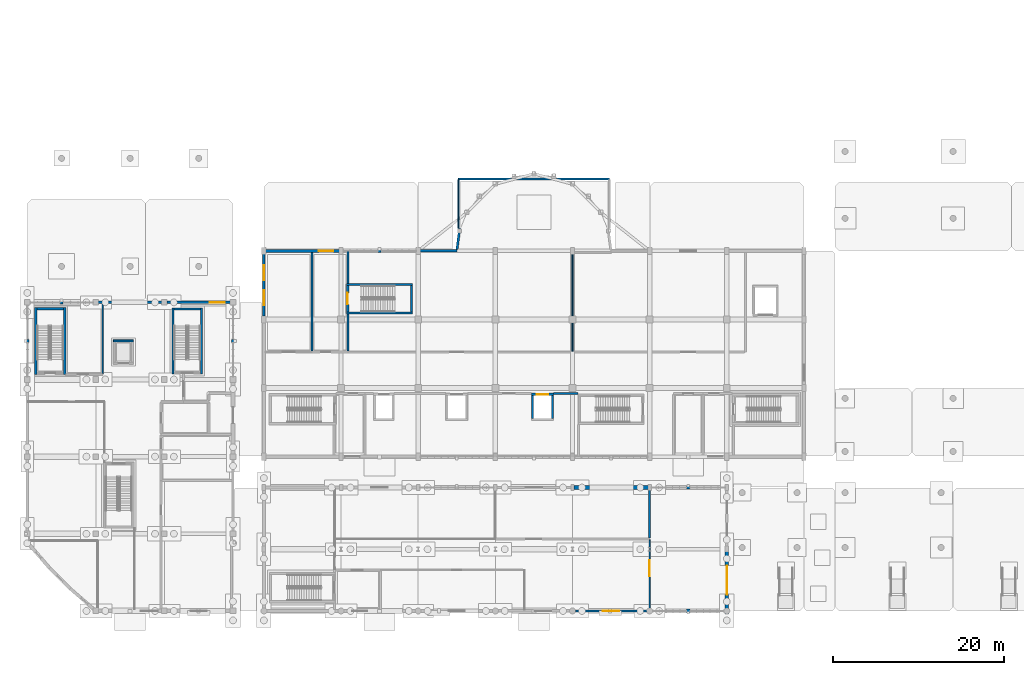
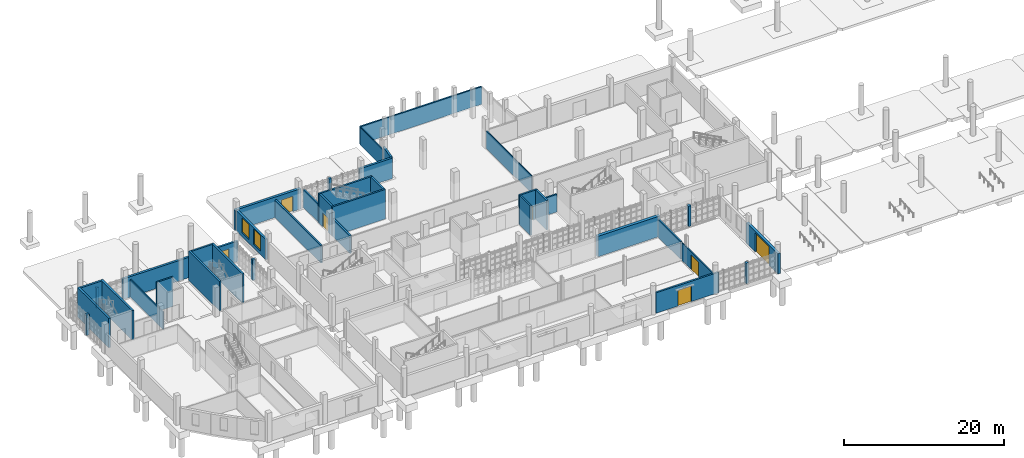
# One storey, part 44 of 63: 39 walls, 7 doors, 2 windows, 9 openings.
"""IFC4 building model written with IfcOpenShell, lengths in metres."""

import ifcopenshell
import ifcopenshell.guid

model = None  # the IFC model being written
_history = None  # IfcOwnerHistory: only IFC2X3 demands one
_inside = {}  # id of a spatial element -> (the spatial element, [elements in it])
_under = {}  # id of a project, library or spatial element -> (it, [spatial elements below it])
_declared = {}  # id of a project -> (the project, [libraries it declares])
_typed = {}  # id of a type object -> (the type object, [elements of that type])
_made_of = {}  # id of a material, layer set ... -> (it, [elements and type objects made of it])


def new_model(schema):
    """Start an empty IFC model of exactly this schema.

    Asked for "IFC4X3", IfcOpenShell would pick the latest addendum, in which some entities
    have other attributes; the version numbers below select the first issue.
    IFC2X3 requires an IfcOwnerHistory on every rooted entity: one is made here for all.
    """
    global model, _history
    if schema == "IFC4X3":
        model = ifcopenshell.file(schema_version=(4, 3, 0, 0))
    else:
        model = ifcopenshell.file(schema=schema)
    _inside.clear()
    _under.clear()
    _declared.clear()
    _typed.clear()
    _made_of.clear()
    _history = None
    if model.schema == "IFC2X3":
        org = make("IfcOrganization", Name="unknown")
        user = make(
            "IfcPersonAndOrganization",
            ThePerson=make("IfcPerson", FamilyName="unknown"),
            TheOrganization=org,
        )
        app = make(
            "IfcApplication",
            ApplicationDeveloper=org,
            Version="unknown",
            ApplicationFullName="unknown",
            ApplicationIdentifier="unknown",
        )
        _history = make(
            "IfcOwnerHistory",
            OwningUser=user,
            OwningApplication=app,
            ChangeAction="ADDED",
            CreationDate=0,
        )
    return model


def make(cls, **values):
    """One entity of the class cls with the attributes given. An attribute that is None is left unset."""
    return model.create_entity(
        cls, **{name: value for name, value in values.items() if value is not None}
    )


def rooted(cls, **values):
    """An entity with a GlobalId (a new one), such as an element, a storey or a relation."""
    return make(cls, GlobalId=ifcopenshell.guid.new(), OwnerHistory=_history, **values)


def si_unit(unit_type, name, prefix=None):
    """IfcSIUnit, for example si_unit("LENGTHUNIT", "METRE", prefix="MILLI")."""
    return make("IfcSIUnit", UnitType=unit_type, Prefix=prefix, Name=name)


def assignment(units):
    """IfcUnitAssignment: the units of a project."""
    return None if units is None else make("IfcUnitAssignment", Units=units)


def point(xyz):
    """IfcCartesianPoint."""
    return None if xyz is None else make("IfcCartesianPoint", Coordinates=xyz)


def direction(xyz):
    """IfcDirection."""
    return None if xyz is None else make("IfcDirection", DirectionRatios=xyz)


def frame(location, z_axis=None, x_axis=None):
    """IfcAxis2Placement3D, a coordinate frame: its origin and axes. An axis left out is left unset."""
    return make(
        "IfcAxis2Placement3D",
        Location=point(location),
        Axis=direction(z_axis),
        RefDirection=direction(x_axis),
    )


def frame_2d(location, x_axis=None):
    """IfcAxis2Placement2D, a coordinate frame in the plane: its origin and x axis."""
    return make(
        "IfcAxis2Placement2D", Location=point(location), RefDirection=direction(x_axis)
    )


def origin():
    """The frame at (0, 0, 0) with its axes left unset."""
    return frame((0.0, 0.0, 0.0))


def place(relative_to, where):
    """IfcLocalPlacement: puts the frame where relative to a parent placement (None: the world)."""
    return make(
        "IfcLocalPlacement", PlacementRelTo=relative_to, RelativePlacement=where
    )


def context(
    kind, dimensions, precision=None, world=None, true_north=None, identifier=None
):
    """IfcGeometricRepresentationContext, for example the 3D "Model" context."""
    return make(
        "IfcGeometricRepresentationContext",
        ContextIdentifier=identifier,
        ContextType=kind,
        CoordinateSpaceDimension=dimensions,
        Precision=precision,
        WorldCoordinateSystem=world,
        TrueNorth=true_north,
    )


def subcontext(parent, identifier, kind, view, scale=None):
    """IfcGeometricRepresentationSubContext, for example "Body" below "Model"."""
    return make(
        "IfcGeometricRepresentationSubContext",
        ContextIdentifier=identifier,
        ContextType=kind,
        ParentContext=parent,
        TargetScale=scale,
        TargetView=view,
    )


def project(units=None, contexts=None):
    """IfcProject with its units and contexts."""
    return rooted(
        "IfcProject",
        Name="project",
        RepresentationContexts=contexts,
        UnitsInContext=assignment(units),
    )


def spatial(cls, under=None, at=None, **own):
    """A site, building, storey or space (cls), placed at a placement, below another one or the project."""
    s = rooted(cls, ObjectPlacement=at, **own)
    if under is not None:
        _under.setdefault(under.id(), (under, []))[1].append(s)
    return s


def profile(cls, at=None, kind="AREA", **sizes):
    """A parametric profile (cls). Its sizes go by their IFC names, for example OverallWidth=200.0."""
    return make(cls, ProfileType=kind, Position=at, **sizes)


def rectangle(**sizes):
    """IfcRectangleProfileDef."""
    return profile("IfcRectangleProfileDef", **sizes)


def extrude(swept, where, along, depth):
    """IfcExtrudedAreaSolid: the profile swept, set in the frame where, extruded along a direction by depth."""
    return make(
        "IfcExtrudedAreaSolid",
        SweptArea=swept,
        Position=where,
        ExtrudedDirection=direction(along),
        Depth=depth,
    )


def shape(context_of_items, identifier, shape_type, items):
    """IfcShapeRepresentation: the items that make up one representation, for example the "Body"."""
    return make(
        "IfcShapeRepresentation",
        ContextOfItems=context_of_items,
        RepresentationIdentifier=identifier,
        RepresentationType=shape_type,
        Items=items,
    )


def material(Name=None, Category=None):
    """IfcMaterial."""
    return make("IfcMaterial", Name=Name, Category=Category)


def layer(
    of_material, thickness, ventilated=None, Name=None, Category=None, Priority=None
):
    """IfcMaterialLayer: one layer of a wall or slab, of a material (None: an air gap)."""
    return make(
        "IfcMaterialLayer",
        Material=of_material,
        LayerThickness=thickness,
        IsVentilated=ventilated,
        Name=Name,
        Category=Category,
        Priority=Priority,
    )


def layer_set(layers, Name=None):
    """IfcMaterialLayerSet."""
    return make("IfcMaterialLayerSet", MaterialLayers=layers, LayerSetName=Name)


def made_of(thing, what):
    """Note that an element or type object is made of a material, layer set ...; save() writes the relation."""
    if what is not None:
        _made_of.setdefault(what.id(), (what, []))[1].append(thing)
    return thing


def type_object(cls, material=None, **own):
    """A type object (cls), such as IfcWallType, which elements share."""
    return made_of(rooted(cls, **own), material)


def element(
    cls,
    number,
    at=None,
    inside=None,
    cuts=None,
    type_object=None,
    material=None,
    context=None,
    identifier="Body",
    shape_type=None,
    held_by="IfcProductDefinitionShape",
    body=None,
    shapes=None,
    **own,
):
    """One element of the class cls, such as IfcWall. Its Tag is "e" and its number.

    at: its placement. inside: the storey or other place that contains it. cuts: it is an
    opening in that element (IfcRelVoidsElement). A single representation is given by context,
    identifier, shape_type and body (its items); several are given by shapes. held_by: the class
    of the entity that holds the representations. save() writes the other relations.
    """
    e = rooted(cls, Tag="e%d" % number, ObjectPlacement=at, **own)
    if body is not None:
        shapes = [shape(context, identifier, shape_type, body)]
    if shapes is not None:
        e.Representation = make(held_by, Representations=shapes)
    if inside is not None:
        _inside.setdefault(inside.id(), (inside, []))[1].append(e)
    if cuts is not None:
        rooted(
            "IfcRelVoidsElement", RelatingBuildingElement=cuts, RelatedOpeningElement=e
        )
    if type_object is not None:
        _typed.setdefault(type_object.id(), (type_object, []))[1].append(e)
    return made_of(e, material)


def fill(opening, filler):
    """IfcRelFillsElement: the door or window that sits in an opening."""
    return rooted(
        "IfcRelFillsElement",
        RelatingOpeningElement=opening,
        RelatedBuildingElement=filler,
    )


def aggregate(whole, parts):
    """IfcRelAggregates: a whole, such as a stair, and the parts it consists of."""
    return rooted("IfcRelAggregates", RelatingObject=whole, RelatedObjects=parts)


def save(model, path):
    """Write the relations noted so far, then the file.

    IfcRelAggregates (storeys below a building ...), IfcRelContainedInSpatialStructure (elements
    in a storey), IfcRelDefinesByType, IfcRelAssociatesMaterial and IfcRelDeclares: one each for
    every whole, place, type object, material and project.
    """
    for whole, parts in _under.values():
        aggregate(whole, parts)
    for where, things in _inside.values():
        rooted(
            "IfcRelContainedInSpatialStructure",
            RelatedElements=things,
            RelatingStructure=where,
        )
    for kind, things in _typed.values():
        rooted("IfcRelDefinesByType", RelatedObjects=things, RelatingType=kind)
    for what, things in _made_of.values():
        rooted("IfcRelAssociatesMaterial", RelatedObjects=things, RelatingMaterial=what)
    for by, libraries in _declared.values():
        rooted("IfcRelDeclares", RelatingContext=by, RelatedDefinitions=libraries)
    model.write(path)


model = new_model("IFC4")

# Units and contexts
model_context = context("Model", 3, precision=1e-05, world=origin(), true_north=direction((0.0, 1.0)))
body_context = subcontext(model_context, "Body", "Model", "MODEL_VIEW")
ifc_project = project(units=[si_unit("LENGTHUNIT", "METRE"), si_unit("AREAUNIT", "SQUARE_METRE"), si_unit("VOLUMEUNIT", "CUBIC_METRE"), si_unit("PLANEANGLEUNIT", "RADIAN"), si_unit("MASSUNIT", "GRAM", prefix="KILO")], contexts=[model_context])

# Site, building, storey
site_placement = place(None, origin())
site = spatial("IfcSite", under=ifc_project, at=site_placement, CompositionType="ELEMENT")
building_placement = place(site_placement, origin())
building = spatial("IfcBuilding", under=site, at=building_placement, Name="Serraforn Aerial Cableway Station", CompositionType="ELEMENT")
storey_placement = place(building_placement, origin())
storey = spatial("IfcBuildingStorey", under=building, at=storey_placement, Name="L00", CompositionType="ELEMENT", Elevation=0.0)

# Walls
ifc_material_1 = material(Name="Concrete C35/45", Category="concrete")
ifc_layer_1 = layer(ifc_material_1, 0.219970703125)
ifc_layer_set_1 = layer_set([ifc_layer_1], Name="Concrete C35/45")
wall_type_1 = type_object("IfcWallType", Name="WL-COR-220", PredefinedType="SHEAR", material=ifc_layer_set_1)
wall_1_placement = place(storey_placement, frame((10.030029296875, 31.510009765625, 0.0), z_axis=(0.0, 0.0, 1.0), x_axis=(1.0, 0.0, 0.0)))
element("IfcWall", 1, at=wall_1_placement, inside=storey, type_object=wall_type_1, Name="Lift Shaft Shear Wall WLFT-LF-01-L00-N", PredefinedType="SHEAR", context=body_context, shape_type="SweptSolid", body=[
    extrude(rectangle(XDim=2.340087890625, YDim=0.219970703125, at=frame_2d((1.169921875, 0.0))), origin(), (0.0, 0.0, 1.0), 4.5),
])
ifc_layer_2 = layer(ifc_material_1, 0.25)
ifc_layer_set_2 = layer_set([ifc_layer_2], Name="Concrete C35/45")
wall_type_2 = type_object("IfcWallType", Name="WL-COR-250", PredefinedType="SHEAR", material=ifc_layer_set_2)
wall_2_placement = place(storey_placement, frame((20.199951171875, 35.22509765625, 0.0), z_axis=(0.0, 0.0, 1.0), x_axis=(-1.0, 0.0, 0.0)))
element("IfcWall", 2, at=wall_2_placement, inside=storey, type_object=wall_type_2, Name="Stair Core Shear Wall WCOR-ST-02-L00-FAR", PredefinedType="SHEAR", context=body_context, shape_type="SweptSolid", body=[
    extrude(rectangle(XDim=3.06005859375, YDim=0.25, at=frame_2d((1.530029296875, 0.0))), origin(), (0.0, 0.0, 1.0), 4.5),
])
for number, where, z_axis, x_axis, name in (
    (3, (20.324951171875, 27.64990234375, 0.0), (0.0, 0.0, 1.0), (0.0, 1.0, 0.0), "Stair Core Shear Wall WCOR-ST-02-L00-L"),
    (4, (17.014892578125, 27.64990234375, 0.0), (0.0, 0.0, 1.0), (0.0, 1.0, 0.0), "Stair Core Shear Wall WCOR-ST-02-L00-R"),
):
    element("IfcWall", number, at=place(storey_placement, frame(where, z_axis=z_axis, x_axis=x_axis)), inside=storey, type_object=wall_type_2, Name=name, PredefinedType="SHEAR", context=body_context, shape_type="SweptSolid", body=[
        extrude(rectangle(XDim=7.7001953125, YDim=0.25, at=frame_2d((3.85009765625, 0.0))), origin(), (0.0, 0.0, 1.0), 4.5),
    ])

# Wall, opening, door
wall_3_placement = place(storey_placement, frame((37.375, 34.89990234375, 0.0), z_axis=(0.0, 0.0, 1.0), x_axis=(0.0, 1.0, 0.0)))
wall_3 = element("IfcWall", 5, at=wall_3_placement, inside=storey, type_object=wall_type_2, Name="Stair Core Shear Wall WCOR-ST-04-L00-NEAR", PredefinedType="SHEAR", context=body_context, shape_type="SweptSolid", body=[
    extrude(rectangle(XDim=3.06005859375, YDim=0.25, at=frame_2d((1.530029296875, 0.0))), origin(), (0.0, 0.0, 1.0), 4.5),
])
opening_1_placement = place(wall_3_placement, frame((0.85498046875, 0.0, 0.0)))
opening_1 = element("IfcOpeningElement", 6, at=opening_1_placement, cuts=wall_3, Name="Opening D-S18", PredefinedType="OPENING", context=body_context, shape_type="SweptSolid", body=[
    extrude(rectangle(XDim=1.35009765625, YDim=2.14990234375, at=frame_2d((0.675048828125, 1.074951171875))), frame((0.0, 0.135009765625, 0.0), z_axis=(0.0, -1.0, 0.0), x_axis=(1.0, 0.0, 0.0)), (0.0, 0.0, 1.0), 0.27001953125),
])
ifc_material_2 = material(Name="Self-closing steel stair fire door", Category="steel")
door_type_1 = type_object("IfcDoorType", Name="DR-STAIR-135", OperationType="NOTDEFINED", PredefinedType="DOOR", material=ifc_material_2)
door_1_placement = place(opening_1_placement, origin())
door_1 = element("IfcDoor", 7, at=door_1_placement, inside=storey, type_object=door_type_1, Name="Protected Stair Door D-S18", OperationType="SINGLE_SWING_RIGHT", OverallHeight=2.14990234375, OverallWidth=1.35009765625, PredefinedType="DOOR", context=body_context, shape_type="SweptSolid", body=[
    extrude(rectangle(XDim=1.35009765625, YDim=2.14990234375, at=frame_2d((0.675048828125, 1.074951171875))), frame((0.0, 0.02490234375, 0.0), z_axis=(0.0, -1.0, 0.0), x_axis=(1.0, 0.0, 0.0)), (0.0, 0.0, 1.0), 0.050048828125),
])
fill(opening_1, door_1)

# Walls
wall_4_placement = place(storey_placement, frame((44.824951171875, 34.89990234375, 0.0), z_axis=(0.0, 0.0, 1.0), x_axis=(0.0, 1.0, 0.0)))
element("IfcWall", 8, at=wall_4_placement, inside=storey, type_object=wall_type_2, Name="Stair Core Shear Wall WCOR-ST-04-L00-FAR", PredefinedType="SHEAR", context=body_context, shape_type="SweptSolid", body=[
    extrude(rectangle(XDim=3.06005859375, YDim=0.25, at=frame_2d((1.530029296875, 0.0))), origin(), (0.0, 0.0, 1.0), 4.5),
])
for number, where, z_axis, x_axis, name in (
    (9, (37.25, 34.77490234375, 0.0), (0.0, 0.0, 1.0), (1.0, 0.0, 0.0), "Stair Core Shear Wall WCOR-ST-04-L00-L"),
    (10, (37.25, 38.0849609375, 0.0), (0.0, 0.0, 1.0), (1.0, 0.0, 0.0), "Stair Core Shear Wall WCOR-ST-04-L00-R"),
):
    element("IfcWall", number, at=place(storey_placement, frame(where, z_axis=z_axis, x_axis=x_axis)), inside=storey, type_object=wall_type_2, Name=name, PredefinedType="SHEAR", context=body_context, shape_type="SweptSolid", body=[
        extrude(rectangle(XDim=7.699951171875, YDim=0.25, at=frame_2d((3.85009765625, 0.0))), origin(), (0.0, 0.0, 1.0), 4.5),
    ])

# Wall, opening, door
wall_5_placement = place(storey_placement, frame((58.800048828125, 25.27490234375, 0.0), z_axis=(0.0, 0.0, 1.0), x_axis=(1.0, 0.0, 0.0)))
wall_5 = element("IfcWall", 11, at=wall_5_placement, inside=storey, type_object=wall_type_2, Name="Lift Shaft Shear Wall WLFT-LF-04-L00-N", PredefinedType="SHEAR", context=body_context, shape_type="SweptSolid", body=[
    extrude(rectangle(XDim=2.599853515625, YDim=0.25, at=frame_2d((1.2998046875, 0.0))), origin(), (0.0, 0.0, 1.0), 4.5),
])
opening_2_placement = place(wall_5_placement, frame((0.64990234375, 0.0, 0.0)))
opening_2 = element("IfcOpeningElement", 12, at=opening_2_placement, cuts=wall_5, Name="Opening LD-15", PredefinedType="OPENING", context=body_context, shape_type="SweptSolid", body=[
    extrude(rectangle(XDim=1.300048828125, YDim=2.14990234375, at=frame_2d((0.64990234375, 1.074951171875))), frame((0.0, 0.135009765625, 0.0), z_axis=(0.0, -1.0, 0.0), x_axis=(1.0, 0.0, 0.0)), (0.0, 0.0, 1.0), 0.27001953125),
])
ifc_material_3 = material(Name="Brushed stainless-steel sliding lift landing door", Category="steel")
door_type_2 = type_object("IfcDoorType", Name="DR-LIFT-130", OperationType="SLIDING_TO_RIGHT", PredefinedType="DOOR", material=ifc_material_3)
door_2_placement = place(opening_2_placement, origin())
door_2 = element("IfcDoor", 13, at=door_2_placement, inside=storey, type_object=door_type_2, Name="Sliding Lift Landing Door LD-15 (LF-04 L00)", OperationType="SLIDING_TO_RIGHT", OverallHeight=2.14990234375, OverallWidth=1.300048828125, PredefinedType="DOOR", context=body_context, shape_type="SweptSolid", body=[
    extrude(rectangle(XDim=1.300048828125, YDim=2.14990234375, at=frame_2d((0.64990234375, 1.074951171875))), frame((0.0, 0.02490234375, 0.0), z_axis=(0.0, -1.0, 0.0), x_axis=(1.0, 0.0, 0.0)), (0.0, 0.0, 1.0), 0.050048828125),
])
fill(opening_2, door_2)

# Walls
for number, where, z_axis, x_axis, name in (
    (14, (58.925048828125, 22.449951171875, 0.0), (0.0, 0.0, 1.0), (0.0, 1.0, 0.0), "Lift Shaft Shear Wall WLFT-LF-04-L00-W"),
    (15, (61.27490234375, 22.449951171875, 0.0), (0.0, 0.0, 1.0), (0.0, 1.0, 0.0), "Lift Shaft Shear Wall WLFT-LF-04-L00-E"),
):
    element("IfcWall", number, at=place(storey_placement, frame(where, z_axis=z_axis, x_axis=x_axis)), inside=storey, type_object=wall_type_2, Name=name, PredefinedType="SHEAR", context=body_context, shape_type="SweptSolid", body=[
        extrude(rectangle(XDim=2.699951171875, YDim=0.25, at=frame_2d((1.35009765625, 0.0))), origin(), (0.0, 0.0, 1.0), 4.5),
    ])
ifc_layer_3 = layer(ifc_material_1, 0.300048828125)
ifc_layer_set_3 = layer_set([ifc_layer_3], Name="Concrete C35/45")
wall_type_3 = type_object("IfcWallType", Name="WL-COR-300", PredefinedType="SHEAR", material=ifc_layer_set_3)
wall_6_placement = place(storey_placement, frame((4.199951171875, 35.25, 0.0), z_axis=(0.0, 0.0, 1.0), x_axis=(-1.0, 0.0, 0.0)))
element("IfcWall", 16, at=wall_6_placement, inside=storey, type_object=wall_type_3, Name="Stair Core Shear Wall WCOR-ST-01-L00-FAR", PredefinedType="SHEAR", context=body_context, shape_type="SweptSolid", body=[
    extrude(rectangle(XDim=3.06005859375, YDim=0.300048828125, at=frame_2d((1.530029296875, 0.0))), origin(), (0.0, 0.0, 1.0), 4.5),
])
for number, where, z_axis, x_axis, name in (
    (17, (4.35009765625, 27.60009765625, 0.0), (0.0, 0.0, 1.0), (0.0, 1.0, 0.0), "Stair Core Shear Wall WCOR-ST-01-L00-L"),
    (18, (0.989990234375, 27.60009765625, 0.0), (0.0, 0.0, 1.0), (0.0, 1.0, 0.0), "Stair Core Shear Wall WCOR-ST-01-L00-R"),
):
    element("IfcWall", number, at=place(storey_placement, frame(where, z_axis=z_axis, x_axis=x_axis)), inside=storey, type_object=wall_type_3, Name=name, PredefinedType="SHEAR", context=body_context, shape_type="SweptSolid", body=[
        extrude(rectangle(XDim=7.7998046875, YDim=0.300048828125, at=frame_2d((3.89990234375, 0.0))), origin(), (0.0, 0.0, 1.0), 4.5),
    ])

# Wall, opening, door
ifc_material_4 = material(Name="Insulated stuccoed terracotta facade", Category="masonry")
ifc_layer_4 = layer(ifc_material_4, 0.260009765625)
ifc_layer_set_4 = layer_set([ifc_layer_4], Name="Insulated stuccoed terracotta facade")
wall_type_4 = type_object("IfcWallType", Name="WL-EXT-260", PredefinedType="SOLIDWALL", material=ifc_layer_set_4)
wall_7_placement = place(storey_placement, frame((63.950927734375, 0.0, 0.0), z_axis=(0.0, 0.0, 1.0), x_axis=(1.0, 0.0, 0.0)))
wall_7 = element("IfcWall", 19, at=wall_7_placement, inside=storey, type_object=wall_type_4, Name="Exterior Wall WEXT-CF-L00-S5", PredefinedType="SOLIDWALL", context=body_context, shape_type="SweptSolid", body=[
    extrude(rectangle(XDim=8.9990234375, YDim=0.260009765625, at=frame_2d((4.49951171875, 0.0))), origin(), (0.0, 0.0, 1.0), 3.1201171875),
])
opening_3_placement = place(wall_7_placement, frame((3.198974609375, 0.0, 0.0)))
opening_3 = element("IfcOpeningElement", 20, at=opening_3_placement, cuts=wall_7, Name="Opening DE-01", PredefinedType="OPENING", context=body_context, shape_type="SweptSolid", body=[
    extrude(rectangle(XDim=1.89990234375, YDim=2.39990234375, at=frame_2d((0.949951171875, 1.199951171875))), frame((0.0, 0.139892578125, 0.0), z_axis=(0.0, -1.0, 0.0), x_axis=(1.0, 0.0, 0.0)), (0.0, 0.0, 1.0), 0.280029296875),
])
ifc_material_5 = material(Name="Anodised bronze thermally broken aluminium and laminated glass", Category="aluminium")
door_type_3 = type_object("IfcDoorType", Name="DR-EXT-190", OperationType="DOUBLE_SWING_LEFT", PredefinedType="DOOR", material=ifc_material_5)
door_3_placement = place(opening_3_placement, origin())
door_3 = element("IfcDoor", 21, at=door_3_placement, inside=storey, type_object=door_type_3, Name="Exterior Door DE-CF-L00-S5", OperationType="DOUBLE_SWING_LEFT", OverallHeight=2.39990234375, OverallWidth=1.89990234375, PredefinedType="DOOR", context=body_context, shape_type="SweptSolid", body=[
    extrude(rectangle(XDim=1.89990234375, YDim=2.39990234375, at=frame_2d((0.949951171875, 1.199951171875))), frame((0.0, 0.02490234375, 0.0), z_axis=(0.0, -1.0, 0.0), x_axis=(1.0, 0.0, 0.0)), (0.0, 0.0, 1.0), 0.050048828125),
])
fill(opening_3, door_3)

# Wall
ifc_layer_5 = layer(ifc_material_4, 0.27490234375)
ifc_layer_set_5 = layer_set([ifc_layer_5], Name="Insulated stuccoed terracotta facade")
wall_type_5 = type_object("IfcWallType", Name="WL-EXT-275", PredefinedType="SOLIDWALL", material=ifc_layer_set_5)
wall_8_placement = place(storey_placement, frame((50.443359375, 44.607421875, 0.0), z_axis=(0.0, 0.0, 1.0), x_axis=(-0.130556465889, -0.9914408753, 0.0)))
element("IfcWall", 22, at=wall_8_placement, inside=storey, type_object=wall_type_5, Name="Exterior Wall WEXT-AP-L00-R1", PredefinedType="SOLIDWALL", context=body_context, shape_type="SweptSolid", body=[
    extrude(rectangle(XDim=2.477783203125, YDim=0.27490234375, at=frame_2d((1.23876953125, 0.0))), origin(), (0.0, 0.0, 1.0), 3.1201171875),
])

# Wall, opening, door
ifc_material_6 = material(Name="Insulated fluted limestone rainscreen", Category="masonry")
ifc_layer_6 = layer(ifc_material_6, 0.304931640625)
ifc_layer_set_6 = layer_set([ifc_layer_6], Name="Insulated fluted limestone rainscreen")
wall_type_6 = type_object("IfcWallType", Name="WL-EXT-305", PredefinedType="SOLIDWALL", material=ifc_layer_set_6)
wall_9_placement = place(storey_placement, frame((24.324951171875, 36.0, 0.0), z_axis=(0.0, 0.0, 1.0), x_axis=(-1.0, 0.0, 0.0)))
wall_9 = element("IfcWall", 23, at=wall_9_placement, inside=storey, type_object=wall_type_6, Name="Exterior Wall WEXT-W-L00-N3", PredefinedType="SOLIDWALL", context=body_context, shape_type="SweptSolid", body=[
    extrude(rectangle(XDim=7.9990234375, YDim=0.304931640625, at=frame_2d((3.99951171875, 0.0))), origin(), (0.0, 0.0, 1.0), 3.1201171875),
])
opening_4_placement = place(wall_9_placement, frame((1.3125, 0.0, 0.0)))
opening_4 = element("IfcOpeningElement", 24, at=opening_4_placement, cuts=wall_9, Name="Opening DE-03", PredefinedType="OPENING", context=body_context, shape_type="SweptSolid", body=[
    extrude(rectangle(XDim=1.699951171875, YDim=2.35009765625, at=frame_2d((0.85009765625, 1.175048828125))), frame((0.0, 0.162353515625, 0.0), z_axis=(0.0, -1.0, 0.0), x_axis=(1.0, 0.0, 0.0)), (0.0, 0.0, 1.0), 0.324951171875),
])
door_type_4 = type_object("IfcDoorType", Name="DR-EXT-170", OperationType="DOUBLE_SWING_LEFT", PredefinedType="DOOR", material=ifc_material_5)
door_4_placement = place(opening_4_placement, origin())
door_4 = element("IfcDoor", 25, at=door_4_placement, inside=storey, type_object=door_type_4, Name="Exterior Door DE-W-L00-N3", OperationType="DOUBLE_SWING_LEFT", OverallHeight=2.35009765625, OverallWidth=1.699951171875, PredefinedType="DOOR", context=body_context, shape_type="SweptSolid", body=[
    extrude(rectangle(XDim=1.699951171875, YDim=2.35009765625, at=frame_2d((0.85009765625, 1.175048828125))), frame((0.0, 0.02490234375, 0.0), z_axis=(0.0, -1.0, 0.0), x_axis=(1.0, 0.0, 0.0)), (0.0, 0.0, 1.0), 0.050048828125),
])
fill(opening_4, door_4)

# Wall
wall_10_placement = place(storey_placement, frame((50.10009765625, 42.0, 0.0), z_axis=(0.0, 0.0, 1.0), x_axis=(-1.0, 0.0, 0.0)))
element("IfcWall", 26, at=wall_10_placement, inside=storey, type_object=wall_type_6, Name="Exterior Wall WEXT-CV-L00-N3", PredefinedType="SOLIDWALL", context=body_context, shape_type="SweptSolid", body=[
    extrude(rectangle(XDim=4.75, YDim=0.304931640625, at=frame_2d((2.375, 0.0))), origin(), (0.0, 0.0, 1.0), 3.1201171875),
])

# Wall, openings, windows
wall_11_placement = place(storey_placement, frame((27.60009765625, 41.81640625, 0.0), z_axis=(0.0, 0.0, 1.0), x_axis=(0.0, -1.0, 0.0)))
wall_11 = element("IfcWall", 27, at=wall_11_placement, inside=storey, type_object=wall_type_6, Name="Exterior Wall WEXT-CV-L00-W3", PredefinedType="SOLIDWALL", context=body_context, shape_type="SweptSolid", body=[
    extrude(rectangle(XDim=7.390380859375, YDim=0.304931640625, at=frame_2d((3.6953125, 0.0))), origin(), (0.0, 0.0, 1.0), 3.1201171875),
])
opening_5_placement = place(wall_11_placement, frame((1.466552734375, 0.0, 0.60009765625)))
opening_5 = element("IfcOpeningElement", 28, at=opening_5_placement, cuts=wall_11, Name="Opening W-10", PredefinedType="OPENING", context=body_context, shape_type="SweptSolid", body=[
    extrude(rectangle(XDim=1.75, YDim=2.300048828125, at=frame_2d((0.875, 1.14990234375))), frame((0.0, 0.162353515625, 0.0), z_axis=(0.0, -1.0, 0.0), x_axis=(1.0, 0.0, 0.0)), (0.0, 0.0, 1.0), 0.324951171875),
])
opening_6_placement = place(wall_11_placement, frame((4.41650390625, 0.0, 0.60009765625)))
opening_6 = element("IfcOpeningElement", 29, at=opening_6_placement, cuts=wall_11, Name="Opening W-10", PredefinedType="OPENING", context=body_context, shape_type="SweptSolid", body=[
    extrude(rectangle(XDim=1.75, YDim=2.300048828125, at=frame_2d((0.875, 1.14990234375))), frame((0.0, 0.162353515625, 0.0), z_axis=(0.0, -1.0, 0.0), x_axis=(1.0, 0.0, 0.0)), (0.0, 0.0, 1.0), 0.324951171875),
])
ifc_material_7 = material(Name="Anodised bronze aluminium and low-E double glazing", Category="aluminium")
window_type = type_object("IfcWindowType", Name="WIN-ART-10", PartitioningType="SINGLE_PANEL", PredefinedType="WINDOW", material=ifc_material_7)
window_1_placement = place(opening_5_placement, origin())
window_1 = element("IfcWindow", 30, at=window_1_placement, inside=storey, type_object=window_type, Name="Art Deco Window WEXT-CV-L00-W3-W1", OverallHeight=2.300048828125, OverallWidth=1.75, PartitioningType="SINGLE_PANEL", PredefinedType="WINDOW", context=body_context, shape_type="SweptSolid", body=[
    extrude(rectangle(XDim=1.75, YDim=2.300048828125, at=frame_2d((0.875, 1.14990234375))), frame((0.0, 0.030029296875, 0.0), z_axis=(0.0, -1.0, 0.0), x_axis=(1.0, 0.0, 0.0)), (0.0, 0.0, 1.0), 0.06005859375),
])
fill(opening_5, window_1)
window_2_placement = place(opening_6_placement, origin())
window_2 = element("IfcWindow", 31, at=window_2_placement, inside=storey, type_object=window_type, Name="Art Deco Window WEXT-CV-L00-W3-W2", OverallHeight=2.300048828125, OverallWidth=1.75, PartitioningType="SINGLE_PANEL", PredefinedType="WINDOW", context=body_context, shape_type="SweptSolid", body=[
    extrude(rectangle(XDim=1.75, YDim=2.300048828125, at=frame_2d((0.875, 1.14990234375))), frame((0.0, 0.030029296875, 0.0), z_axis=(0.0, -1.0, 0.0), x_axis=(1.0, 0.0, 0.0)), (0.0, 0.0, 1.0), 0.06005859375),
])
fill(opening_6, window_2)

# Walls
ifc_layer_7 = layer(ifc_material_6, 0.320068359375)
ifc_layer_set_7 = layer_set([ifc_layer_7], Name="Insulated fluted limestone rainscreen")
wall_type_7 = type_object("IfcWallType", Name="WL-EXT-320", PredefinedType="SOLIDWALL", material=ifc_layer_set_7)
wall_12_placement = place(storey_placement, frame((16.324951171875, 36.0, 0.0), z_axis=(0.0, 0.0, 1.0), x_axis=(-1.0, 0.0, 0.0)))
element("IfcWall", 32, at=wall_12_placement, inside=storey, type_object=wall_type_7, Name="Exterior Wall WEXT-W-L00-N2", PredefinedType="SOLIDWALL", context=body_context, shape_type="SweptSolid", body=[
    extrude(rectangle(XDim=8.64990234375, YDim=0.320068359375, at=frame_2d((4.324951171875, 0.0))), origin(), (0.0, 0.0, 1.0), 3.1201171875),
])
ifc_layer_8 = layer(ifc_material_6, 0.3349609375)
ifc_layer_set_8 = layer_set([ifc_layer_8], Name="Insulated fluted limestone rainscreen")
wall_type_8 = type_object("IfcWallType", Name="WL-EXT-335", PredefinedType="SOLIDWALL", material=ifc_layer_set_8)
wall_13_placement = place(storey_placement, frame((4.179931640625, 36.0, 0.0), z_axis=(0.0, 0.0, 1.0), x_axis=(-1.0, 0.0, 0.0)))
element("IfcWall", 33, at=wall_13_placement, inside=storey, type_object=wall_type_8, Name="Exterior Wall WPIER-W-L00-N1", PredefinedType="SOLIDWALL", context=body_context, shape_type="SweptSolid", body=[
    extrude(rectangle(XDim=0.35986328125, YDim=0.3349609375, at=frame_2d((0.179931640625, 0.0))), origin(), (0.0, 0.0, 1.0), 3.1201171875),
])
wall_14_placement = place(storey_placement, frame((41.280029296875, 42.0, 0.0), z_axis=(0.0, 0.0, 1.0), x_axis=(-1.0, 0.0, 0.0)))
element("IfcWall", 34, at=wall_14_placement, inside=storey, type_object=wall_type_8, Name="Exterior Wall WPIER-CV-L00-N2", PredefinedType="SOLIDWALL", context=body_context, shape_type="SweptSolid", body=[
    extrude(rectangle(XDim=0.360107421875, YDim=0.3349609375, at=frame_2d((0.18017578125, 0.0))), origin(), (0.0, 0.0, 1.0), 3.1201171875),
])

# Wall, opening, door
ifc_material_8 = material(Name="Montjuic sandstone ashlar masonry", Category="masonry")
ifc_layer_9 = layer(ifc_material_8, 0.364990234375)
ifc_layer_set_9 = layer_set([ifc_layer_9], Name="Montjuic sandstone ashlar masonry")
wall_type_9 = type_object("IfcWallType", Name="WL-EXT-365", PredefinedType="SOLIDWALL", material=ifc_layer_set_9)
wall_15_placement = place(storey_placement, frame((81.60009765625, -0.35009765625, 0.0), z_axis=(0.0, 0.0, 1.0), x_axis=(0.0, 1.0, 0.0)))
wall_15 = element("IfcWall", 35, at=wall_15_placement, inside=storey, type_object=wall_type_9, Name="Exterior Wall WEXT-CF-L00-E1", PredefinedType="SOLIDWALL", context=body_context, shape_type="SweptSolid", body=[
    extrude(rectangle(XDim=7.900146484375, YDim=0.364990234375, at=frame_2d((3.9501953125, 0.0))), origin(), (0.0, 0.0, 1.0), 3.1201171875),
])
opening_7_placement = place(wall_15_placement, frame((2.25, 0.0, 0.0)))
opening_7 = element("IfcOpeningElement", 36, at=opening_7_placement, cuts=wall_15, Name="Opening G-01", PredefinedType="OPENING", context=body_context, shape_type="SweptSolid", body=[
    extrude(rectangle(XDim=3.39990234375, YDim=2.85009765625, at=frame_2d((1.699951171875, 1.425048828125))), frame((0.0, 0.1923828125, 0.0), z_axis=(0.0, -1.0, 0.0), x_axis=(1.0, 0.0, 0.0)), (0.0, 0.0, 1.0), 0.385009765625),
])
door_type_5 = type_object("IfcDoorType", Name="DR-GATE-340", OperationType="ROLLINGUP", PredefinedType="GATE", material=ifc_material_5)
door_5_placement = place(opening_7_placement, origin())
door_5 = element("IfcDoor", 37, at=door_5_placement, inside=storey, type_object=door_type_5, Name="Exterior Door DG-CF-L00-LOAD", OperationType="ROLLINGUP", OverallHeight=2.85009765625, OverallWidth=3.39990234375, PredefinedType="GATE", context=body_context, shape_type="SweptSolid", body=[
    extrude(rectangle(XDim=3.39990234375, YDim=2.85009765625, at=frame_2d((1.699951171875, 1.425048828125))), frame((0.0, 0.02490234375, 0.0), z_axis=(0.0, -1.0, 0.0), x_axis=(1.0, 0.0, 0.0)), (0.0, 0.0, 1.0), 0.050048828125),
])
fill(opening_7, door_5)

wall_16_placement = place(storey_placement, frame((36.85009765625, 42.0, 0.0), z_axis=(0.0, 0.0, 1.0), x_axis=(-1.0, 0.0, 0.0)))
wall_16 = element("IfcWall", 38, at=wall_16_placement, inside=storey, type_object=wall_type_9, Name="Exterior Wall WEXT-CV-L00-N1", PredefinedType="SOLIDWALL", context=body_context, shape_type="SweptSolid", body=[
    extrude(rectangle(XDim=9.5, YDim=0.364990234375, at=frame_2d((4.75, 0.0))), origin(), (0.0, 0.0, 1.0), 3.1201171875),
])
opening_8_placement = place(wall_16_placement, frame((1.14501953125, 0.0, 0.0)))
opening_8 = element("IfcOpeningElement", 39, at=opening_8_placement, cuts=wall_16, Name="Opening DE-03", PredefinedType="OPENING", context=body_context, shape_type="SweptSolid", body=[
    extrude(rectangle(XDim=1.699951171875, YDim=2.35009765625, at=frame_2d((0.85009765625, 1.175048828125))), frame((0.0, 0.1923828125, 0.0), z_axis=(0.0, -1.0, 0.0), x_axis=(1.0, 0.0, 0.0)), (0.0, 0.0, 1.0), 0.385009765625),
])
door_6_placement = place(opening_8_placement, origin())
door_6 = element("IfcDoor", 40, at=door_6_placement, inside=storey, type_object=door_type_4, Name="Exterior Door DE-CV-L00-N1", OperationType="DOUBLE_SWING_LEFT", OverallHeight=2.35009765625, OverallWidth=1.699951171875, PredefinedType="DOOR", context=body_context, shape_type="SweptSolid", body=[
    extrude(rectangle(XDim=1.699951171875, YDim=2.35009765625, at=frame_2d((0.85009765625, 1.175048828125))), frame((0.0, 0.02490234375, 0.0), z_axis=(0.0, -1.0, 0.0), x_axis=(1.0, 0.0, 0.0)), (0.0, 0.0, 1.0), 0.050048828125),
])
fill(opening_8, door_6)

# Walls
ifc_layer_10 = layer(ifc_material_8, 0.39990234375)
ifc_layer_set_10 = layer_set([ifc_layer_10], Name="Montjuic sandstone ashlar masonry")
wall_type_10 = type_object("IfcWallType", Name="WL-EXT-400", PredefinedType="SOLIDWALL", material=ifc_layer_set_10)
wall_17_placement = place(storey_placement, frame((24.0, 31.320068359375, 0.0), z_axis=(0.0, 0.0, 1.0), x_axis=(0.0, 1.0, 0.0)))
element("IfcWall", 41, at=wall_17_placement, inside=storey, type_object=wall_type_10, Name="Exterior Wall WPIER-W-L00-E4", PredefinedType="SOLIDWALL", context=body_context, shape_type="SweptSolid", body=[
    extrude(rectangle(XDim=0.35986328125, YDim=0.39990234375, at=frame_2d((0.179931640625, 0.0))), origin(), (0.0, 0.0, 1.0), 3.1201171875),
])
wall_18_placement = place(storey_placement, frame((77.280029296875, 14.39990234375, 0.0), z_axis=(0.0, 0.0, 1.0), x_axis=(-1.0, 0.0, 0.0)))
element("IfcWall", 42, at=wall_18_placement, inside=storey, type_object=wall_type_10, Name="Exterior Wall WPIER-CF-L00-N6", PredefinedType="SOLIDWALL", context=body_context, shape_type="SweptSolid", body=[
    extrude(rectangle(XDim=0.360107421875, YDim=0.39990234375, at=frame_2d((0.18017578125, 0.0))), origin(), (0.0, 0.0, 1.0), 3.1201171875),
])
ifc_layer_11 = layer(ifc_material_8, 0.4150390625)
ifc_layer_set_11 = layer_set([ifc_layer_11], Name="Montjuic sandstone ashlar masonry")
wall_type_11 = type_object("IfcWallType", Name="WL-EXT-415", PredefinedType="SOLIDWALL", material=ifc_layer_set_11)
wall_19_placement = place(storey_placement, frame((0.0, 31.679931640625, 0.0), z_axis=(0.0, 0.0, 1.0), x_axis=(0.0, -1.0, 0.0)))
element("IfcWall", 43, at=wall_19_placement, inside=storey, type_object=wall_type_11, Name="Exterior Wall WPIER-W-L00-W4", PredefinedType="SOLIDWALL", context=body_context, shape_type="SweptSolid", body=[
    extrude(rectangle(XDim=0.35986328125, YDim=0.4150390625, at=frame_2d((0.179931640625, 0.0))), origin(), (0.0, 0.0, 1.0), 3.1201171875),
])
wall_20_placement = place(storey_placement, frame((76.919921875, 0.0, 0.0), z_axis=(0.0, 0.0, 1.0), x_axis=(1.0, 0.0, 0.0)))
element("IfcWall", 44, at=wall_20_placement, inside=storey, type_object=wall_type_11, Name="Exterior Wall WPIER-CF-L00-S6", PredefinedType="SOLIDWALL", context=body_context, shape_type="SweptSolid", body=[
    extrude(rectangle(XDim=0.360107421875, YDim=0.4150390625, at=frame_2d((0.18017578125, 0.0))), origin(), (0.0, 0.0, 1.0), 3.1201171875),
])
ifc_layer_12 = layer(ifc_material_8, 0.429931640625)
ifc_layer_set_12 = layer_set([ifc_layer_12], Name="Montjuic sandstone ashlar masonry")
wall_type_12 = type_object("IfcWallType", Name="WL-EXT-430", PredefinedType="SOLIDWALL", material=ifc_layer_set_12)
wall_21_placement = place(storey_placement, frame((72.800048828125, 14.39990234375, 0.0), z_axis=(0.0, 0.0, 1.0), x_axis=(-1.0, 0.0, 0.0)))
element("IfcWall", 45, at=wall_21_placement, inside=storey, type_object=wall_type_12, Name="Exterior Wall WEXT-CF-L00-N5", PredefinedType="SOLIDWALL", context=body_context, shape_type="SweptSolid", body=[
    extrude(rectangle(XDim=8.9990234375, YDim=0.429931640625, at=frame_2d((4.49951171875, 0.0))), origin(), (0.0, 0.0, 1.0), 3.1201171875),
])
ifc_material_9 = material(Name="Concrete C30/37", Category="concrete")
ifc_layer_13 = layer(ifc_material_9, 0.241943359375)
ifc_layer_set_13 = layer_set([ifc_layer_13], Name="Concrete C30/37")
wall_type_13 = type_object("IfcWallType", Name="WL-FIR-242", PredefinedType="SOLIDWALL", material=ifc_layer_set_13)
wall_22_placement = place(storey_placement, frame((33.199951171875, 30.322021484375, 0.0), z_axis=(0.0, 0.0, 1.0), x_axis=(0.0, 1.0, 0.0)))
element("IfcWall", 46, at=wall_22_placement, inside=storey, type_object=wall_type_13, Name="Interior Partition WPRT-L00-24-64", PredefinedType="SOLIDWALL", context=body_context, shape_type="SweptSolid", body=[
    extrude(rectangle(XDim=11.494384765625, YDim=0.241943359375, at=frame_2d((5.7470703125, 0.0))), origin(), (0.0, 0.0, 1.0), 2.699951171875),
])
wall_23_placement = place(storey_placement, frame((37.39990234375, 42.0, 0.0), z_axis=(0.0, 0.0, 1.0), x_axis=(0.0, -1.0, 0.0)))
element("IfcWall", 47, at=wall_23_placement, inside=storey, type_object=wall_type_13, Name="Interior Partition WPRT-L00-24-65", PredefinedType="SOLIDWALL", context=body_context, shape_type="SweptSolid", body=[
    extrude(rectangle(XDim=3.7890625, YDim=0.241943359375, at=frame_2d((1.89453125, 0.0))), origin(), (0.0, 0.0, 1.0), 2.699951171875),
])
wall_24_placement = place(storey_placement, frame((37.39990234375, 34.64892578125, 0.0), z_axis=(0.0, 0.0, 1.0), x_axis=(0.0, -1.0, 0.0)))
element("IfcWall", 48, at=wall_24_placement, inside=storey, type_object=wall_type_13, Name="Interior Partition WPRT-L00-24-66", PredefinedType="SOLIDWALL", context=body_context, shape_type="SweptSolid", body=[
    extrude(rectangle(XDim=4.326904296875, YDim=0.241943359375, at=frame_2d((2.16357421875, 0.0))), origin(), (0.0, 0.0, 1.0), 2.699951171875),
])
ifc_material_10 = material(Name="Operable acoustic auditorium partition")
ifc_layer_14 = layer(ifc_material_10, 0.1259765625)
ifc_layer_set_14 = layer_set([ifc_layer_14], Name="Operable acoustic auditorium partition")
wall_type_14 = type_object("IfcWallType", Name="WL-MOV-126", PredefinedType="MOVABLE", material=ifc_layer_set_14)
wall_25_placement = place(storey_placement, frame((50.300048828125, 44.62744140625, 0.0), z_axis=(0.0, 0.0, 1.0), x_axis=(0.0, 1.0, 0.0)))
element("IfcWall", 49, at=wall_25_placement, inside=storey, type_object=wall_type_14, Name="Interior Partition WPRT-L00-12-80", PredefinedType="MOVABLE", context=body_context, shape_type="SweptSolid", body=[
    extrude(rectangle(XDim=5.66650390625, YDim=0.1259765625, at=frame_2d((2.833251953125, 0.0))), origin(), (0.0, 0.0, 1.0), 2.699951171875),
])
wall_26_placement = place(storey_placement, frame((63.60009765625, 41.7041015625, 0.0), z_axis=(0.0, 0.0, 1.0), x_axis=(0.0, -1.0, 0.0)))
element("IfcWall", 50, at=wall_26_placement, inside=storey, type_object=wall_type_14, Name="Interior Partition WPRT-L00-12-84", PredefinedType="MOVABLE", context=body_context, shape_type="SweptSolid", body=[
    extrude(rectangle(XDim=11.385498046875, YDim=0.1259765625, at=frame_2d((5.69287109375, 0.0))), origin(), (0.0, 0.0, 1.0), 2.699951171875),
])

# Wall, opening, door
ifc_material_11 = material(Name="Acoustic twin-stud gypsum partition")
ifc_layer_15 = layer(ifc_material_11, 0.14501953125)
ifc_layer_set_15 = layer_set([ifc_layer_15], Name="Acoustic twin-stud gypsum partition")
wall_type_15 = type_object("IfcWallType", Name="WL-PRT-145", PredefinedType="PARTITIONING", material=ifc_layer_set_15)
wall_27_placement = place(storey_placement, frame((72.60009765625, 0.131103515625, 0.0), z_axis=(0.0, 0.0, 1.0), x_axis=(0.0, 1.0, 0.0)))
wall_27 = element("IfcWall", 51, at=wall_27_placement, inside=storey, type_object=wall_type_15, Name="Interior Partition WPRT-L00-11-59", PredefinedType="PARTITIONING", context=body_context, shape_type="SweptSolid", body=[
    extrude(rectangle(XDim=8.14697265625, YDim=0.14501953125, at=frame_2d((4.073486328125, 0.0))), origin(), (0.0, 0.0, 1.0), 2.699951171875),
])
opening_9_placement = place(wall_27_placement, frame((3.928955078125, 0.0, 0.0)))
opening_9 = element("IfcOpeningElement", 52, at=opening_9_placement, cuts=wall_27, Name="Opening DI-019", PredefinedType="OPENING", context=body_context, shape_type="SweptSolid", body=[
    extrude(rectangle(XDim=1.8798828125, YDim=2.25, at=frame_2d((0.93994140625, 1.125))), frame((0.0, 0.08251953125, 0.0), z_axis=(0.0, -1.0, 0.0), x_axis=(1.0, 0.0, 0.0)), (0.0, 0.0, 1.0), 0.1650390625),
])
ifc_material_12 = material(Name="Double-leaf machinery vault door")
door_type_6 = type_object("IfcDoorType", Name="DR-INT-188", OperationType="NOTDEFINED", PredefinedType="DOOR", material=ifc_material_12)
door_7_placement = place(opening_9_placement, origin())
door_7 = element("IfcDoor", 53, at=door_7_placement, inside=storey, type_object=door_type_6, Name="Room Door DI-019 (L00-11)", OperationType="SINGLE_SWING_RIGHT", OverallHeight=2.25, OverallWidth=1.8798828125, PredefinedType="DOOR", context=body_context, shape_type="SweptSolid", body=[
    extrude(rectangle(XDim=1.8798828125, YDim=2.25, at=frame_2d((0.93994140625, 1.125))), frame((0.0, 0.02490234375, 0.0), z_axis=(0.0, -1.0, 0.0), x_axis=(1.0, 0.0, 0.0)), (0.0, 0.0, 1.0), 0.050048828125),
])
fill(opening_9, door_7)

# Walls
ifc_layer_16 = layer(ifc_material_11, 0.159912109375)
ifc_layer_set_16 = layer_set([ifc_layer_16], Name="Acoustic twin-stud gypsum partition")
wall_type_16 = type_object("IfcWallType", Name="WL-PRT-160", PredefinedType="PARTITIONING", material=ifc_layer_set_16)
wall_28_placement = place(storey_placement, frame((8.800048828125, 35.839111328125, 0.0), z_axis=(0.0, 0.0, 1.0), x_axis=(0.0, -1.0, 0.0)))
element("IfcWall", 54, at=wall_28_placement, inside=storey, type_object=wall_type_16, Name="Interior Partition WPRT-L00-19-46", PredefinedType="PARTITIONING", context=body_context, shape_type="SweptSolid", body=[
    extrude(rectangle(XDim=8.1630859375, YDim=0.159912109375, at=frame_2d((4.08154296875, 0.0))), origin(), (0.0, 0.0, 1.0), 2.699951171875),
])
ifc_material_13 = material(Name="Acoustic masonry blockwork", Category="masonry")
ifc_layer_17 = layer(ifc_material_13, 0.2099609375)
ifc_layer_set_17 = layer_set([ifc_layer_17], Name="Acoustic masonry blockwork")
wall_type_17 = type_object("IfcWallType", Name="WL-PRT-210", PredefinedType="PARTITIONING", material=ifc_layer_set_17)
wall_29_placement = place(storey_placement, frame((50.300048828125, 50.39990234375, 0.0), z_axis=(0.0, 0.0, 1.0), x_axis=(1.0, 0.0, 0.0)))
element("IfcWall", 55, at=wall_29_placement, inside=storey, type_object=wall_type_17, Name="Interior Partition WPRT-L00-12-81", PredefinedType="PARTITIONING", context=body_context, shape_type="SweptSolid", body=[
    extrude(rectangle(XDim=17.599853515625, YDim=0.2099609375, at=frame_2d((8.7998046875, 0.0))), origin(), (0.0, 0.0, 1.0), 2.699951171875),
])
ifc_layer_18 = layer(ifc_material_13, 0.235107421875)
ifc_layer_set_18 = layer_set([ifc_layer_18], Name="Acoustic masonry blockwork")
wall_type_18 = type_object("IfcWallType", Name="WL-PRT-235", PredefinedType="PARTITIONING", material=ifc_layer_set_18)
wall_30_placement = place(storey_placement, frame((72.60009765625, 14.18408203125, 0.0), z_axis=(0.0, 0.0, 1.0), x_axis=(0.0, -1.0, 0.0)))
element("IfcWall", 56, at=wall_30_placement, inside=storey, type_object=wall_type_18, Name="Interior Partition WPRT-L00-10-57", PredefinedType="PARTITIONING", context=body_context, shape_type="SweptSolid", body=[
    extrude(rectangle(XDim=5.662109375, YDim=0.235107421875, at=frame_2d((2.8310546875, 0.0))), origin(), (0.0, 0.0, 1.0), 2.699951171875),
])
wall_31_placement = place(storey_placement, frame((61.40087890625, 25.35009765625, 0.0), z_axis=(0.0, 0.0, 1.0), x_axis=(1.0, 0.0, 0.0)))
element("IfcWall", 57, at=wall_31_placement, inside=storey, type_object=wall_type_18, Name="Interior Partition WPRT-L00-14-75", PredefinedType="PARTITIONING", context=body_context, shape_type="SweptSolid", body=[
    extrude(rectangle(XDim=2.859130859375, YDim=0.235107421875, at=frame_2d((1.4296875, 0.0))), origin(), (0.0, 0.0, 1.0), 2.699951171875),
])

save(model, "model.ifc")
